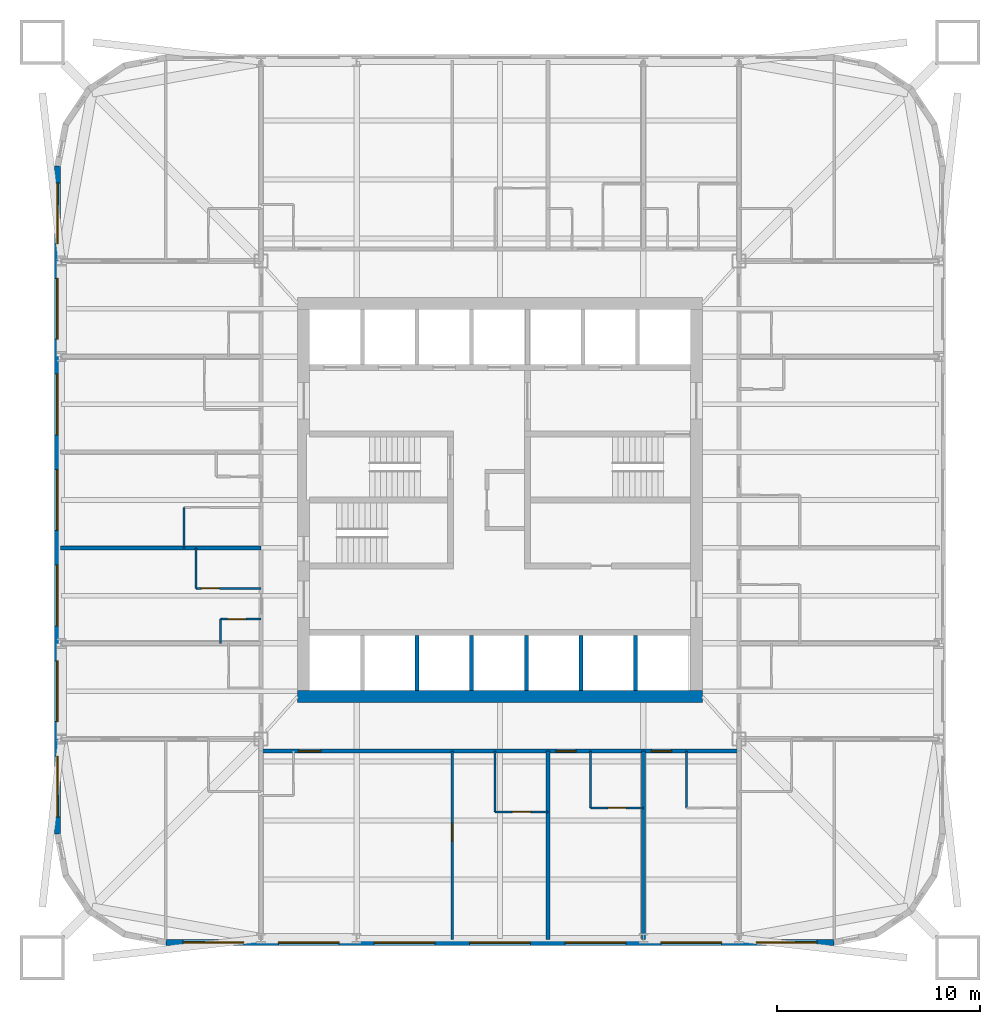
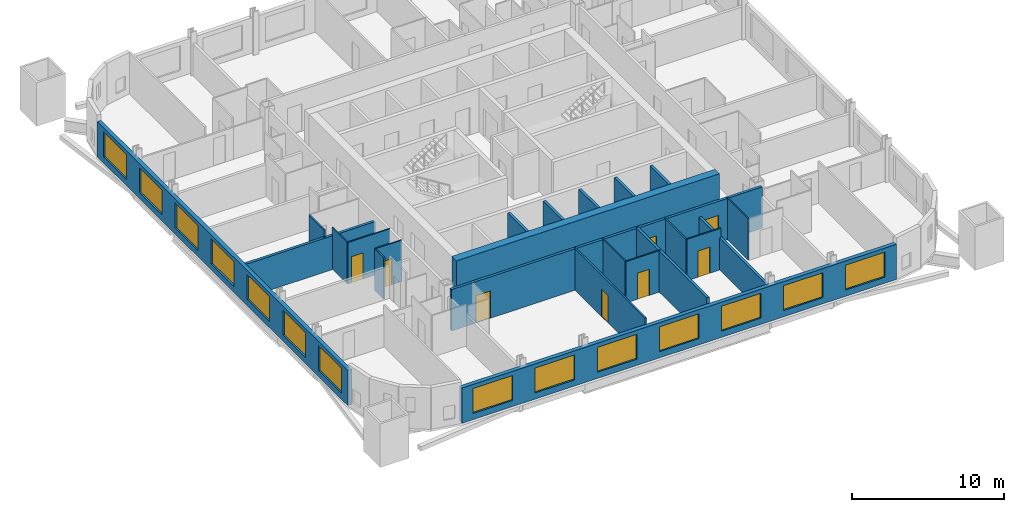
# One storey, part 3 of 9: 23 walls, 14 windows, 8 doors, 22 openings.
"""IFC4 building model written with IfcOpenShell, lengths in metres."""

import ifcopenshell
import ifcopenshell.guid

model = None  # the IFC model being written
_history = None  # IfcOwnerHistory: only IFC2X3 demands one
_inside = {}  # id of a spatial element -> (the spatial element, [elements in it])
_under = {}  # id of a project, library or spatial element -> (it, [spatial elements below it])
_declared = {}  # id of a project -> (the project, [libraries it declares])
_typed = {}  # id of a type object -> (the type object, [elements of that type])
_made_of = {}  # id of a material, layer set ... -> (it, [elements and type objects made of it])


def new_model(schema):
    """Start an empty IFC model of exactly this schema.

    Asked for "IFC4X3", IfcOpenShell would pick the latest addendum, in which some entities
    have other attributes; the version numbers below select the first issue.
    IFC2X3 requires an IfcOwnerHistory on every rooted entity: one is made here for all.
    """
    global model, _history
    if schema == "IFC4X3":
        model = ifcopenshell.file(schema_version=(4, 3, 0, 0))
    else:
        model = ifcopenshell.file(schema=schema)
    _inside.clear()
    _under.clear()
    _declared.clear()
    _typed.clear()
    _made_of.clear()
    _history = None
    if model.schema == "IFC2X3":
        org = make("IfcOrganization", Name="unknown")
        user = make(
            "IfcPersonAndOrganization",
            ThePerson=make("IfcPerson", FamilyName="unknown"),
            TheOrganization=org,
        )
        app = make(
            "IfcApplication",
            ApplicationDeveloper=org,
            Version="unknown",
            ApplicationFullName="unknown",
            ApplicationIdentifier="unknown",
        )
        _history = make(
            "IfcOwnerHistory",
            OwningUser=user,
            OwningApplication=app,
            ChangeAction="ADDED",
            CreationDate=0,
        )
    return model


def make(cls, **values):
    """One entity of the class cls with the attributes given. An attribute that is None is left unset."""
    return model.create_entity(
        cls, **{name: value for name, value in values.items() if value is not None}
    )


def rooted(cls, **values):
    """An entity with a GlobalId (a new one), such as an element, a storey or a relation."""
    return make(cls, GlobalId=ifcopenshell.guid.new(), OwnerHistory=_history, **values)


def si_unit(unit_type, name, prefix=None):
    """IfcSIUnit, for example si_unit("LENGTHUNIT", "METRE", prefix="MILLI")."""
    return make("IfcSIUnit", UnitType=unit_type, Prefix=prefix, Name=name)


def assignment(units):
    """IfcUnitAssignment: the units of a project."""
    return None if units is None else make("IfcUnitAssignment", Units=units)


def point(xyz):
    """IfcCartesianPoint."""
    return None if xyz is None else make("IfcCartesianPoint", Coordinates=xyz)


def direction(xyz):
    """IfcDirection."""
    return None if xyz is None else make("IfcDirection", DirectionRatios=xyz)


def frame(location, z_axis=None, x_axis=None):
    """IfcAxis2Placement3D, a coordinate frame: its origin and axes. An axis left out is left unset."""
    return make(
        "IfcAxis2Placement3D",
        Location=point(location),
        Axis=direction(z_axis),
        RefDirection=direction(x_axis),
    )


def frame_2d(location, x_axis=None):
    """IfcAxis2Placement2D, a coordinate frame in the plane: its origin and x axis."""
    return make(
        "IfcAxis2Placement2D", Location=point(location), RefDirection=direction(x_axis)
    )


def origin():
    """The frame at (0, 0, 0) with its axes left unset."""
    return frame((0.0, 0.0, 0.0))


def place(relative_to, where):
    """IfcLocalPlacement: puts the frame where relative to a parent placement (None: the world)."""
    return make(
        "IfcLocalPlacement", PlacementRelTo=relative_to, RelativePlacement=where
    )


def context(
    kind, dimensions, precision=None, world=None, true_north=None, identifier=None
):
    """IfcGeometricRepresentationContext, for example the 3D "Model" context."""
    return make(
        "IfcGeometricRepresentationContext",
        ContextIdentifier=identifier,
        ContextType=kind,
        CoordinateSpaceDimension=dimensions,
        Precision=precision,
        WorldCoordinateSystem=world,
        TrueNorth=true_north,
    )


def subcontext(parent, identifier, kind, view, scale=None):
    """IfcGeometricRepresentationSubContext, for example "Body" below "Model"."""
    return make(
        "IfcGeometricRepresentationSubContext",
        ContextIdentifier=identifier,
        ContextType=kind,
        ParentContext=parent,
        TargetScale=scale,
        TargetView=view,
    )


def project(units=None, contexts=None):
    """IfcProject with its units and contexts."""
    return rooted(
        "IfcProject",
        Name="project",
        RepresentationContexts=contexts,
        UnitsInContext=assignment(units),
    )


def spatial(cls, under=None, at=None, **own):
    """A site, building, storey or space (cls), placed at a placement, below another one or the project."""
    s = rooted(cls, ObjectPlacement=at, **own)
    if under is not None:
        _under.setdefault(under.id(), (under, []))[1].append(s)
    return s


def profile(cls, at=None, kind="AREA", **sizes):
    """A parametric profile (cls). Its sizes go by their IFC names, for example OverallWidth=200.0."""
    return make(cls, ProfileType=kind, Position=at, **sizes)


def rectangle(**sizes):
    """IfcRectangleProfileDef."""
    return profile("IfcRectangleProfileDef", **sizes)


def extrude(swept, where, along, depth):
    """IfcExtrudedAreaSolid: the profile swept, set in the frame where, extruded along a direction by depth."""
    return make(
        "IfcExtrudedAreaSolid",
        SweptArea=swept,
        Position=where,
        ExtrudedDirection=direction(along),
        Depth=depth,
    )


def shape(context_of_items, identifier, shape_type, items):
    """IfcShapeRepresentation: the items that make up one representation, for example the "Body"."""
    return make(
        "IfcShapeRepresentation",
        ContextOfItems=context_of_items,
        RepresentationIdentifier=identifier,
        RepresentationType=shape_type,
        Items=items,
    )


def material(Name=None, Category=None):
    """IfcMaterial."""
    return make("IfcMaterial", Name=Name, Category=Category)


def layer(
    of_material, thickness, ventilated=None, Name=None, Category=None, Priority=None
):
    """IfcMaterialLayer: one layer of a wall or slab, of a material (None: an air gap)."""
    return make(
        "IfcMaterialLayer",
        Material=of_material,
        LayerThickness=thickness,
        IsVentilated=ventilated,
        Name=Name,
        Category=Category,
        Priority=Priority,
    )


def layer_set(layers, Name=None):
    """IfcMaterialLayerSet."""
    return make("IfcMaterialLayerSet", MaterialLayers=layers, LayerSetName=Name)


def made_of(thing, what):
    """Note that an element or type object is made of a material, layer set ...; save() writes the relation."""
    if what is not None:
        _made_of.setdefault(what.id(), (what, []))[1].append(thing)
    return thing


def type_object(cls, material=None, **own):
    """A type object (cls), such as IfcWallType, which elements share."""
    return made_of(rooted(cls, **own), material)


def element(
    cls,
    number,
    at=None,
    inside=None,
    cuts=None,
    type_object=None,
    material=None,
    context=None,
    identifier="Body",
    shape_type=None,
    held_by="IfcProductDefinitionShape",
    body=None,
    shapes=None,
    **own,
):
    """One element of the class cls, such as IfcWall. Its Tag is "e" and its number.

    at: its placement. inside: the storey or other place that contains it. cuts: it is an
    opening in that element (IfcRelVoidsElement). A single representation is given by context,
    identifier, shape_type and body (its items); several are given by shapes. held_by: the class
    of the entity that holds the representations. save() writes the other relations.
    """
    e = rooted(cls, Tag="e%d" % number, ObjectPlacement=at, **own)
    if body is not None:
        shapes = [shape(context, identifier, shape_type, body)]
    if shapes is not None:
        e.Representation = make(held_by, Representations=shapes)
    if inside is not None:
        _inside.setdefault(inside.id(), (inside, []))[1].append(e)
    if cuts is not None:
        rooted(
            "IfcRelVoidsElement", RelatingBuildingElement=cuts, RelatedOpeningElement=e
        )
    if type_object is not None:
        _typed.setdefault(type_object.id(), (type_object, []))[1].append(e)
    return made_of(e, material)


def fill(opening, filler):
    """IfcRelFillsElement: the door or window that sits in an opening."""
    return rooted(
        "IfcRelFillsElement",
        RelatingOpeningElement=opening,
        RelatedBuildingElement=filler,
    )


def aggregate(whole, parts):
    """IfcRelAggregates: a whole, such as a stair, and the parts it consists of."""
    return rooted("IfcRelAggregates", RelatingObject=whole, RelatedObjects=parts)


def save(model, path):
    """Write the relations noted so far, then the file.

    IfcRelAggregates (storeys below a building ...), IfcRelContainedInSpatialStructure (elements
    in a storey), IfcRelDefinesByType, IfcRelAssociatesMaterial and IfcRelDeclares: one each for
    every whole, place, type object, material and project.
    """
    for whole, parts in _under.values():
        aggregate(whole, parts)
    for where, things in _inside.values():
        rooted(
            "IfcRelContainedInSpatialStructure",
            RelatedElements=things,
            RelatingStructure=where,
        )
    for kind, things in _typed.values():
        rooted("IfcRelDefinesByType", RelatedObjects=things, RelatingType=kind)
    for what, things in _made_of.values():
        rooted("IfcRelAssociatesMaterial", RelatedObjects=things, RelatingMaterial=what)
    for by, libraries in _declared.values():
        rooted("IfcRelDeclares", RelatingContext=by, RelatedDefinitions=libraries)
    model.write(path)


model = new_model("IFC4")

# Units and contexts
model_context = context("Model", 3, precision=1e-05, world=origin(), true_north=direction((0.0, 1.0)))
body_context = subcontext(model_context, "Body", "Model", "MODEL_VIEW")
ifc_project = project(units=[si_unit("LENGTHUNIT", "METRE"), si_unit("AREAUNIT", "SQUARE_METRE"), si_unit("VOLUMEUNIT", "CUBIC_METRE"), si_unit("PLANEANGLEUNIT", "RADIAN"), si_unit("MASSUNIT", "GRAM", prefix="KILO")], contexts=[model_context])

# Site, building, storey
site_placement = place(None, origin())
site = spatial("IfcSite", under=ifc_project, at=site_placement, CompositionType="ELEMENT")
building_placement = place(site_placement, origin())
building = spatial("IfcBuilding", under=site, at=building_placement, Name="Turquesa Mirador Hotel Tower", CompositionType="ELEMENT")
storey_placement = place(building_placement, frame((0.0, 0.0, 28.5)))
storey = spatial("IfcBuildingStorey", under=building, at=storey_placement, Name="L06", CompositionType="ELEMENT", Elevation=28.5)

# Wall, opening, door
ifc_material_1 = material(Name="Gypsum board on steel studs", Category="steel")
ifc_layer_1 = layer(ifc_material_1, 0.10009765625)
ifc_layer_set_1 = layer_set([ifc_layer_1], Name="BATHROOM WALL 100")
wall_type_1 = type_object("IfcWallType", Name="BATHROOM WALL 100", PredefinedType="PARTITIONING", material=ifc_layer_set_1)
wall_1_placement = place(storey_placement, frame((59.47998046875, 29.800048828125, 0.0), z_axis=(0.0, 0.0, 1.0), x_axis=(1.0, 0.0, 0.0)))
wall_1 = element("IfcWall", 1, at=wall_1_placement, inside=storey, type_object=wall_type_1, Name="Partition L06 010", PredefinedType="PARTITIONING", context=body_context, shape_type="SweptSolid", body=[
    extrude(rectangle(XDim=2.60009765625, YDim=0.10009765625, at=frame_2d((1.300048828125, 0.0))), origin(), (0.0, 0.0, 1.0), 3.330078125),
])
opening_1_placement = place(wall_1_placement, frame((0.85009765625, 0.0, 0.0)))
opening_1 = element("IfcOpeningElement", 2, at=opening_1_placement, cuts=wall_1, Name="Opening D02", PredefinedType="OPENING", context=body_context, shape_type="SweptSolid", body=[
    extrude(rectangle(XDim=0.89990234375, YDim=2.10009765625, at=frame_2d((0.449951171875, 1.050048828125))), frame((0.0, 0.06005859375, 0.0), z_axis=(0.0, -1.0, 0.0), x_axis=(1.0, 0.0, 0.0)), (0.0, 0.0, 1.0), 0.1201171875),
])
ifc_material_2 = material(Name="Timber veneered door", Category="wood")
door_type_1 = type_object("IfcDoorType", Name="DOOR 900X2100 EN-SUITE", OperationType="SINGLE_SWING_RIGHT", PredefinedType="DOOR", material=ifc_material_2)
door_1_placement = place(opening_1_placement, origin())
door_1 = element("IfcDoor", 3, at=door_1_placement, inside=storey, type_object=door_type_1, Name="Door 0605B", OperationType="SINGLE_SWING_RIGHT", OverallHeight=2.10009765625, OverallWidth=0.89990234375, PredefinedType="DOOR", context=body_context, shape_type="SweptSolid", body=[
    extrude(rectangle(XDim=0.89990234375, YDim=2.10009765625, at=frame_2d((0.449951171875, 1.050048828125))), frame((0.0, 0.02490234375, 0.0), z_axis=(0.0, -1.0, 0.0), x_axis=(1.0, 0.0, 0.0)), (0.0, 0.0, 1.0), 0.050048828125),
])
fill(opening_1, door_1)

wall_2_placement = place(storey_placement, frame((54.760009765625, 29.60009765625, 0.0), z_axis=(0.0, 0.0, 1.0), x_axis=(1.0, 0.0, 0.0)))
wall_2 = element("IfcWall", 4, at=wall_2_placement, inside=storey, type_object=wall_type_1, Name="Partition L06 012", PredefinedType="PARTITIONING", context=body_context, shape_type="SweptSolid", body=[
    extrude(rectangle(XDim=2.60009765625, YDim=0.10009765625, at=frame_2d((1.300048828125, 0.0))), origin(), (0.0, 0.0, 1.0), 3.330078125),
])
opening_2_placement = place(wall_2_placement, frame((0.85009765625, 0.0, 0.0)))
opening_2 = element("IfcOpeningElement", 5, at=opening_2_placement, cuts=wall_2, Name="Opening D02", PredefinedType="OPENING", context=body_context, shape_type="SweptSolid", body=[
    extrude(rectangle(XDim=0.89990234375, YDim=2.10009765625, at=frame_2d((0.449951171875, 1.050048828125))), frame((0.0, 0.06005859375, 0.0), z_axis=(0.0, -1.0, 0.0), x_axis=(1.0, 0.0, 0.0)), (0.0, 0.0, 1.0), 0.1201171875),
])
door_2_placement = place(opening_2_placement, origin())
door_2 = element("IfcDoor", 6, at=door_2_placement, inside=storey, type_object=door_type_1, Name="Door 0604B", OperationType="SINGLE_SWING_RIGHT", OverallHeight=2.10009765625, OverallWidth=0.89990234375, PredefinedType="DOOR", context=body_context, shape_type="SweptSolid", body=[
    extrude(rectangle(XDim=0.89990234375, YDim=2.10009765625, at=frame_2d((0.449951171875, 1.050048828125))), frame((0.0, 0.02490234375, 0.0), z_axis=(0.0, -1.0, 0.0), x_axis=(1.0, 0.0, 0.0)), (0.0, 0.0, 1.0), 0.050048828125),
])
fill(opening_2, door_2)

wall_3_placement = place(storey_placement, frame((40.0, 40.639892578125, 0.0), z_axis=(0.0, 0.0, 1.0), x_axis=(1.0, 0.0, 0.0)))
wall_3 = element("IfcWall", 7, at=wall_3_placement, inside=storey, type_object=wall_type_1, Name="Partition L06 016", PredefinedType="PARTITIONING", context=body_context, shape_type="SweptSolid", body=[
    extrude(rectangle(XDim=3.199951171875, YDim=0.10009765625, at=frame_2d((1.60009765625, 0.0))), origin(), (0.0, 0.0, 1.0), 3.330078125),
])
opening_3_placement = place(wall_3_placement, frame((0.25, 0.0, 0.0)))
opening_3 = element("IfcOpeningElement", 8, at=opening_3_placement, cuts=wall_3, Name="Opening D02", PredefinedType="OPENING", context=body_context, shape_type="SweptSolid", body=[
    extrude(rectangle(XDim=0.89990234375, YDim=2.10009765625, at=frame_2d((0.449951171875, 1.050048828125))), frame((0.0, 0.06005859375, 0.0), z_axis=(0.0, -1.0, 0.0), x_axis=(1.0, 0.0, 0.0)), (0.0, 0.0, 1.0), 0.1201171875),
])
door_3_placement = place(opening_3_placement, origin())
door_3 = element("IfcDoor", 9, at=door_3_placement, inside=storey, type_object=door_type_1, Name="Door 0609B", OperationType="SINGLE_SWING_RIGHT", OverallHeight=2.10009765625, OverallWidth=0.89990234375, PredefinedType="DOOR", context=body_context, shape_type="SweptSolid", body=[
    extrude(rectangle(XDim=0.89990234375, YDim=2.10009765625, at=frame_2d((0.449951171875, 1.050048828125))), frame((0.0, 0.02490234375, 0.0), z_axis=(0.0, -1.0, 0.0), x_axis=(1.0, 0.0, 0.0)), (0.0, 0.0, 1.0), 0.050048828125),
])
fill(opening_3, door_3)

wall_4_placement = place(storey_placement, frame((41.199951171875, 39.1201171875, 0.0), z_axis=(0.0, 0.0, 1.0), x_axis=(1.0, 0.0, 0.0)))
wall_4 = element("IfcWall", 10, at=wall_4_placement, inside=storey, type_object=wall_type_1, Name="Partition L06 017", PredefinedType="PARTITIONING", context=body_context, shape_type="SweptSolid", body=[
    extrude(rectangle(XDim=2.0, YDim=0.10009765625, at=frame_2d((1.0, 0.0))), origin(), (0.0, 0.0, 1.0), 3.330078125),
])
opening_4_placement = place(wall_4_placement, frame((0.35009765625, 0.0, 0.0)))
opening_4 = element("IfcOpeningElement", 11, at=opening_4_placement, cuts=wall_4, Name="Opening D06", PredefinedType="OPENING", context=body_context, shape_type="SweptSolid", body=[
    extrude(rectangle(XDim=0.89990234375, YDim=2.10009765625, at=frame_2d((0.449951171875, 1.050048828125))), frame((0.0, 0.06005859375, 0.0), z_axis=(0.0, -1.0, 0.0), x_axis=(1.0, 0.0, 0.0)), (0.0, 0.0, 1.0), 0.1201171875),
])
ifc_material_3 = material(Name="Laminate door", Category="wood")
door_type_2 = type_object("IfcDoorType", Name="DOOR 900X2100 WC", OperationType="SINGLE_SWING_LEFT", PredefinedType="DOOR", material=ifc_material_3)
door_4_placement = place(opening_4_placement, origin())
door_4 = element("IfcDoor", 12, at=door_4_placement, inside=storey, type_object=door_type_2, Name="Door 0609W", OperationType="SINGLE_SWING_LEFT", OverallHeight=2.10009765625, OverallWidth=0.89990234375, PredefinedType="DOOR", context=body_context, shape_type="SweptSolid", body=[
    extrude(rectangle(XDim=0.89990234375, YDim=2.10009765625, at=frame_2d((0.449951171875, 1.050048828125))), frame((0.0, 0.02490234375, 0.0), z_axis=(0.0, -1.0, 0.0), x_axis=(1.0, 0.0, 0.0)), (0.0, 0.0, 1.0), 0.050048828125),
])
fill(opening_4, door_4)

# Walls
wall_5_placement = place(storey_placement, frame((54.760009765625, 29.60009765625, 0.0), z_axis=(0.0, 0.0, 1.0), x_axis=(0.0, 1.0, 0.0)))
element("IfcWall", 13, at=wall_5_placement, inside=storey, type_object=wall_type_1, Name="Partition L06 044", PredefinedType="PARTITIONING", context=body_context, shape_type="SweptSolid", body=[
    extrude(rectangle(XDim=3.0, YDim=0.10009765625, at=frame_2d((1.5, 0.0))), origin(), (0.0, 0.0, 1.0), 3.330078125),
])
wall_6_placement = place(storey_placement, frame((41.199951171875, 37.919921875, 0.0), z_axis=(0.0, 0.0, 1.0), x_axis=(0.0, 1.0, 0.0)))
element("IfcWall", 14, at=wall_6_placement, inside=storey, type_object=wall_type_1, Name="Partition L06 055", PredefinedType="PARTITIONING", context=body_context, shape_type="SweptSolid", body=[
    extrude(rectangle(XDim=1.2001953125, YDim=0.10009765625, at=frame_2d((0.60009765625, 0.0))), origin(), (0.0, 0.0, 1.0), 3.330078125),
])
for number, where, z_axis, x_axis, name in (
    (15, (40.0, 40.639892578125, 0.0), (0.0, 0.0, 1.0), (0.0, 1.0, 0.0), "Partition L06 060"),
    (16, (39.39990234375, 42.639892578125, 0.0), (0.0, 0.0, 1.0), (0.0, 1.0, 0.0), "Partition L06 061"),
):
    element("IfcWall", number, at=place(storey_placement, frame(where, z_axis=z_axis, x_axis=x_axis)), inside=storey, type_object=wall_type_1, Name=name, PredefinedType="PARTITIONING", context=body_context, shape_type="SweptSolid", body=[
        extrude(rectangle(XDim=2.0, YDim=0.10009765625, at=frame_2d((1.0, 0.0))), origin(), (0.0, 0.0, 1.0), 3.330078125),
    ])
for number, where, z_axis, x_axis, name in (
    (17, (59.47998046875, 29.800048828125, 0.0), (0.0, 0.0, 1.0), (0.0, 1.0, 0.0), "Partition L06 081"),
    (18, (64.199951171875, 29.800048828125, 0.0), (0.0, 0.0, 1.0), (0.0, 1.0, 0.0), "Partition L06 086"),
):
    element("IfcWall", number, at=place(storey_placement, frame(where, z_axis=z_axis, x_axis=x_axis)), inside=storey, type_object=wall_type_1, Name=name, PredefinedType="PARTITIONING", context=body_context, shape_type="SweptSolid", body=[
        extrude(rectangle(XDim=2.800048828125, YDim=0.10009765625, at=frame_2d((1.39990234375, 0.0))), origin(), (0.0, 0.0, 1.0), 3.330078125),
    ])
ifc_material_4 = material(Name="Concrete C50/60", Category="concrete")
ifc_layer_2 = layer(ifc_material_4, 0.60009765625)
ifc_layer_set_2 = layer_set([ifc_layer_2], Name="CORE WALL 600")
wall_type_2 = type_object("IfcWallType", Name="CORE WALL 600", PredefinedType="SHEAR", material=ifc_layer_set_2)
wall_7_placement = place(storey_placement, frame((45.0, 35.300048828125, 0.0), z_axis=(0.0, 0.0, 1.0), x_axis=(1.0, 0.0, 0.0)))
element("IfcWall", 19, at=wall_7_placement, inside=storey, type_object=wall_type_2, Name="Core wall S", PredefinedType="SHEAR", context=body_context, shape_type="SweptSolid", body=[
    extrude(rectangle(XDim=20.0, YDim=0.60009765625, at=frame_2d((10.0, 0.0))), origin(), (0.0, 0.0, 1.0), 3.5),
])

# Wall, openings, doors
ifc_material_5 = material(Name="Fire-rated gypsum board on steel studs", Category="steel")
ifc_layer_3 = layer(ifc_material_5, 0.199951171875)
ifc_layer_set_3 = layer_set([ifc_layer_3], Name="CORRIDOR WALL 200")
wall_type_3 = type_object("IfcWallType", Name="CORRIDOR WALL 200", PredefinedType="PARTITIONING", material=ifc_layer_set_3)
wall_8_placement = place(storey_placement, frame((43.199951171875, 32.60009765625, 0.0), z_axis=(0.0, 0.0, 1.0), x_axis=(1.0, 0.0, 0.0)))
wall_8 = element("IfcWall", 20, at=wall_8_placement, inside=storey, type_object=wall_type_3, Name="Partition L06 006", PredefinedType="PARTITIONING", context=body_context, shape_type="SweptSolid", body=[
    extrude(rectangle(XDim=23.60009765625, YDim=0.199951171875, at=frame_2d((11.800048828125, 0.0))), origin(), (0.0, 0.0, 1.0), 3.330078125),
])
opening_5_placement = place(wall_8_placement, frame((1.85009765625, 0.0, 0.0)))
opening_5 = element("IfcOpeningElement", 21, at=opening_5_placement, cuts=wall_8, Name="Opening D15", PredefinedType="OPENING", context=body_context, shape_type="SweptSolid", body=[
    extrude(rectangle(XDim=1.10009765625, YDim=2.199951171875, at=frame_2d((0.550048828125, 1.10009765625))), frame((0.0, 0.10986328125, 0.0), z_axis=(0.0, -1.0, 0.0), x_axis=(1.0, 0.0, 0.0)), (0.0, 0.0, 1.0), 0.219970703125),
])
opening_6_placement = place(wall_8_placement, frame((14.56005859375, 0.0, 0.0)))
opening_6 = element("IfcOpeningElement", 22, at=opening_6_placement, cuts=wall_8, Name="Opening D01", PredefinedType="OPENING", context=body_context, shape_type="SweptSolid", body=[
    extrude(rectangle(XDim=1.0, YDim=2.199951171875, at=frame_2d((0.5, 1.10009765625))), frame((0.0, 0.10986328125, 0.0), z_axis=(0.0, -1.0, 0.0), x_axis=(1.0, 0.0, 0.0)), (0.0, 0.0, 1.0), 0.219970703125),
])
opening_7_placement = place(wall_8_placement, frame((19.280029296875, 0.0, 0.0)))
opening_7 = element("IfcOpeningElement", 23, at=opening_7_placement, cuts=wall_8, Name="Opening D01", PredefinedType="OPENING", context=body_context, shape_type="SweptSolid", body=[
    extrude(rectangle(XDim=1.0, YDim=2.199951171875, at=frame_2d((0.5, 1.10009765625))), frame((0.0, 0.10986328125, 0.0), z_axis=(0.0, -1.0, 0.0), x_axis=(1.0, 0.0, 0.0)), (0.0, 0.0, 1.0), 0.219970703125),
])
ifc_material_6 = material(Name="Timber veneered fire door", Category="wood")
door_type_3 = type_object("IfcDoorType", Name="DOOR 1000X2200 GUEST ENTRY", OperationType="SINGLE_SWING_LEFT", PredefinedType="DOOR", material=ifc_material_6)
door_5_placement = place(opening_6_placement, origin())
door_5 = element("IfcDoor", 24, at=door_5_placement, inside=storey, type_object=door_type_3, Name="Door 0605", OperationType="SINGLE_SWING_LEFT", OverallHeight=2.199951171875, OverallWidth=1.0, PredefinedType="DOOR", context=body_context, shape_type="SweptSolid", body=[
    extrude(rectangle(XDim=1.0, YDim=2.199951171875, at=frame_2d((0.5, 1.10009765625))), frame((0.0, 0.02490234375, 0.0), z_axis=(0.0, -1.0, 0.0), x_axis=(1.0, 0.0, 0.0)), (0.0, 0.0, 1.0), 0.050048828125),
])
fill(opening_6, door_5)
door_6_placement = place(opening_7_placement, origin())
door_6 = element("IfcDoor", 25, at=door_6_placement, inside=storey, type_object=door_type_3, Name="Door 0606", OperationType="SINGLE_SWING_LEFT", OverallHeight=2.199951171875, OverallWidth=1.0, PredefinedType="DOOR", context=body_context, shape_type="SweptSolid", body=[
    extrude(rectangle(XDim=1.0, YDim=2.199951171875, at=frame_2d((0.5, 1.10009765625))), frame((0.0, 0.02490234375, 0.0), z_axis=(0.0, -1.0, 0.0), x_axis=(1.0, 0.0, 0.0)), (0.0, 0.0, 1.0), 0.050048828125),
])
fill(opening_7, door_6)
ifc_material_7 = material(Name="Timber veneered fire door", Category="wood")
door_type_4 = type_object("IfcDoorType", Name="DOOR 1100X2200 SUITE ENTRY", OperationType="SINGLE_SWING_LEFT", PredefinedType="DOOR", material=ifc_material_7)
door_7_placement = place(opening_5_placement, origin())
door_7 = element("IfcDoor", 26, at=door_7_placement, inside=storey, type_object=door_type_4, Name="Door 0604", OperationType="SINGLE_SWING_LEFT", OverallHeight=2.199951171875, OverallWidth=1.10009765625, PredefinedType="DOOR", context=body_context, shape_type="SweptSolid", body=[
    extrude(rectangle(XDim=1.10009765625, YDim=2.199951171875, at=frame_2d((0.550048828125, 1.10009765625))), frame((0.0, 0.02490234375, 0.0), z_axis=(0.0, -1.0, 0.0), x_axis=(1.0, 0.0, 0.0)), (0.0, 0.0, 1.0), 0.050048828125),
])
fill(opening_5, door_7)

# Wall, openings, windows
ifc_material_8 = material(Name="Limestone cladding on concrete block", Category="masonry")
ifc_layer_4 = layer(ifc_material_8, 0.300048828125)
ifc_layer_set_4 = layer_set([ifc_layer_4], Name="FACADE WALL 300 STONE SCREEN")
wall_type_4 = type_object("IfcWallType", Name="FACADE WALL 300 STONE SCREEN", PredefinedType="SOLIDWALL", material=ifc_layer_set_4)
wall_9_placement = place(storey_placement, frame((33.14990234375, 61.5, 0.0), z_axis=(0.0, 0.0, 1.0), x_axis=(0.0, -1.0, 0.0)))
wall_9 = element("IfcWall", 27, at=wall_9_placement, inside=storey, type_object=wall_type_4, Name="Facade wall L06 14", PredefinedType="SOLIDWALL", context=body_context, shape_type="SweptSolid", body=[
    extrude(rectangle(XDim=33.0, YDim=0.300048828125, at=frame_2d((16.5, 0.0))), origin(), (0.0, 0.0, 1.0), 2.830078125),
])
opening_8_placement = place(wall_9_placement, frame((0.85009765625, 0.0, 0.5)))
opening_8 = element("IfcOpeningElement", 28, at=opening_8_placement, cuts=wall_9, Name="Opening WN1", PredefinedType="OPENING", context=body_context, shape_type="SweptSolid", body=[
    extrude(rectangle(XDim=3.0, YDim=2.0, at=frame_2d((1.5, 1.0))), frame((0.0, 0.159912109375, 0.0), z_axis=(0.0, -1.0, 0.0), x_axis=(1.0, 0.0, 0.0)), (0.0, 0.0, 1.0), 0.320068359375),
])
opening_9_placement = place(wall_9_placement, frame((5.56005859375, 0.0, 0.5)))
opening_9 = element("IfcOpeningElement", 29, at=opening_9_placement, cuts=wall_9, Name="Opening WN1", PredefinedType="OPENING", context=body_context, shape_type="SweptSolid", body=[
    extrude(rectangle(XDim=3.0, YDim=2.0, at=frame_2d((1.5, 1.0))), frame((0.0, 0.159912109375, 0.0), z_axis=(0.0, -1.0, 0.0), x_axis=(1.0, 0.0, 0.0)), (0.0, 0.0, 1.0), 0.320068359375),
])
opening_10_placement = place(wall_9_placement, frame((10.280029296875, 0.0, 0.5)))
opening_10 = element("IfcOpeningElement", 30, at=opening_10_placement, cuts=wall_9, Name="Opening WN1", PredefinedType="OPENING", context=body_context, shape_type="SweptSolid", body=[
    extrude(rectangle(XDim=3.0, YDim=2.0, at=frame_2d((1.5, 1.0))), frame((0.0, 0.159912109375, 0.0), z_axis=(0.0, -1.0, 0.0), x_axis=(1.0, 0.0, 0.0)), (0.0, 0.0, 1.0), 0.320068359375),
])
opening_11_placement = place(wall_9_placement, frame((15.0, 0.0, 0.5)))
opening_11 = element("IfcOpeningElement", 31, at=opening_11_placement, cuts=wall_9, Name="Opening WN1", PredefinedType="OPENING", context=body_context, shape_type="SweptSolid", body=[
    extrude(rectangle(XDim=3.0, YDim=2.0, at=frame_2d((1.5, 1.0))), frame((0.0, 0.159912109375, 0.0), z_axis=(0.0, -1.0, 0.0), x_axis=(1.0, 0.0, 0.0)), (0.0, 0.0, 1.0), 0.320068359375),
])
opening_12_placement = place(wall_9_placement, frame((19.719970703125, 0.0, 0.5)))
opening_12 = element("IfcOpeningElement", 32, at=opening_12_placement, cuts=wall_9, Name="Opening WN1", PredefinedType="OPENING", context=body_context, shape_type="SweptSolid", body=[
    extrude(rectangle(XDim=3.0, YDim=2.0, at=frame_2d((1.5, 1.0))), frame((0.0, 0.159912109375, 0.0), z_axis=(0.0, -1.0, 0.0), x_axis=(1.0, 0.0, 0.0)), (0.0, 0.0, 1.0), 0.320068359375),
])
opening_13_placement = place(wall_9_placement, frame((24.43994140625, 0.0, 0.5)))
opening_13 = element("IfcOpeningElement", 33, at=opening_13_placement, cuts=wall_9, Name="Opening WN1", PredefinedType="OPENING", context=body_context, shape_type="SweptSolid", body=[
    extrude(rectangle(XDim=3.0, YDim=2.0, at=frame_2d((1.5, 1.0))), frame((0.0, 0.159912109375, 0.0), z_axis=(0.0, -1.0, 0.0), x_axis=(1.0, 0.0, 0.0)), (0.0, 0.0, 1.0), 0.320068359375),
])
opening_14_placement = place(wall_9_placement, frame((29.14990234375, 0.0, 0.5)))
opening_14 = element("IfcOpeningElement", 34, at=opening_14_placement, cuts=wall_9, Name="Opening WN1", PredefinedType="OPENING", context=body_context, shape_type="SweptSolid", body=[
    extrude(rectangle(XDim=3.0, YDim=2.0, at=frame_2d((1.5, 1.0))), frame((0.0, 0.159912109375, 0.0), z_axis=(0.0, -1.0, 0.0), x_axis=(1.0, 0.0, 0.0)), (0.0, 0.0, 1.0), 0.320068359375),
])
ifc_material_9 = material(Name="Ceramic-fritted laminated glass", Category="glass")
window_type = type_object("IfcWindowType", Name="FRITTED WINDOW 3000X2000", PartitioningType="DOUBLE_PANEL_HORIZONTAL", PredefinedType="WINDOW", material=ifc_material_9)
window_1_placement = place(opening_8_placement, origin())
window_1 = element("IfcWindow", 35, at=window_1_placement, inside=storey, type_object=window_type, Name="Window L06", OverallHeight=2.0, OverallWidth=3.0, PartitioningType="SINGLE_PANEL", PredefinedType="WINDOW", context=body_context, shape_type="SweptSolid", body=[
    extrude(rectangle(XDim=3.0, YDim=2.0, at=frame_2d((1.5, 1.0))), frame((0.0, 0.030029296875, 0.0), z_axis=(0.0, -1.0, 0.0), x_axis=(1.0, 0.0, 0.0)), (0.0, 0.0, 1.0), 0.06005859375),
])
fill(opening_8, window_1)
window_2_placement = place(opening_9_placement, origin())
window_2 = element("IfcWindow", 36, at=window_2_placement, inside=storey, type_object=window_type, Name="Window L06", OverallHeight=2.0, OverallWidth=3.0, PartitioningType="SINGLE_PANEL", PredefinedType="WINDOW", context=body_context, shape_type="SweptSolid", body=[
    extrude(rectangle(XDim=3.0, YDim=2.0, at=frame_2d((1.5, 1.0))), frame((0.0, 0.030029296875, 0.0), z_axis=(0.0, -1.0, 0.0), x_axis=(1.0, 0.0, 0.0)), (0.0, 0.0, 1.0), 0.06005859375),
])
fill(opening_9, window_2)
window_3_placement = place(opening_10_placement, origin())
window_3 = element("IfcWindow", 37, at=window_3_placement, inside=storey, type_object=window_type, Name="Window L06", OverallHeight=2.0, OverallWidth=3.0, PartitioningType="SINGLE_PANEL", PredefinedType="WINDOW", context=body_context, shape_type="SweptSolid", body=[
    extrude(rectangle(XDim=3.0, YDim=2.0, at=frame_2d((1.5, 1.0))), frame((0.0, 0.030029296875, 0.0), z_axis=(0.0, -1.0, 0.0), x_axis=(1.0, 0.0, 0.0)), (0.0, 0.0, 1.0), 0.06005859375),
])
fill(opening_10, window_3)
window_4_placement = place(opening_11_placement, origin())
window_4 = element("IfcWindow", 38, at=window_4_placement, inside=storey, type_object=window_type, Name="Window L06", OverallHeight=2.0, OverallWidth=3.0, PartitioningType="SINGLE_PANEL", PredefinedType="WINDOW", context=body_context, shape_type="SweptSolid", body=[
    extrude(rectangle(XDim=3.0, YDim=2.0, at=frame_2d((1.5, 1.0))), frame((0.0, 0.030029296875, 0.0), z_axis=(0.0, -1.0, 0.0), x_axis=(1.0, 0.0, 0.0)), (0.0, 0.0, 1.0), 0.06005859375),
])
fill(opening_11, window_4)
window_5_placement = place(opening_12_placement, origin())
window_5 = element("IfcWindow", 39, at=window_5_placement, inside=storey, type_object=window_type, Name="Window L06", OverallHeight=2.0, OverallWidth=3.0, PartitioningType="SINGLE_PANEL", PredefinedType="WINDOW", context=body_context, shape_type="SweptSolid", body=[
    extrude(rectangle(XDim=3.0, YDim=2.0, at=frame_2d((1.5, 1.0))), frame((0.0, 0.030029296875, 0.0), z_axis=(0.0, -1.0, 0.0), x_axis=(1.0, 0.0, 0.0)), (0.0, 0.0, 1.0), 0.06005859375),
])
fill(opening_12, window_5)
window_6_placement = place(opening_13_placement, origin())
window_6 = element("IfcWindow", 40, at=window_6_placement, inside=storey, type_object=window_type, Name="Window L06", OverallHeight=2.0, OverallWidth=3.0, PartitioningType="SINGLE_PANEL", PredefinedType="WINDOW", context=body_context, shape_type="SweptSolid", body=[
    extrude(rectangle(XDim=3.0, YDim=2.0, at=frame_2d((1.5, 1.0))), frame((0.0, 0.030029296875, 0.0), z_axis=(0.0, -1.0, 0.0), x_axis=(1.0, 0.0, 0.0)), (0.0, 0.0, 1.0), 0.06005859375),
])
fill(opening_13, window_6)
window_7_placement = place(opening_14_placement, origin())
window_7 = element("IfcWindow", 41, at=window_7_placement, inside=storey, type_object=window_type, Name="Window L06", OverallHeight=2.0, OverallWidth=3.0, PartitioningType="SINGLE_PANEL", PredefinedType="WINDOW", context=body_context, shape_type="SweptSolid", body=[
    extrude(rectangle(XDim=3.0, YDim=2.0, at=frame_2d((1.5, 1.0))), frame((0.0, 0.030029296875, 0.0), z_axis=(0.0, -1.0, 0.0), x_axis=(1.0, 0.0, 0.0)), (0.0, 0.0, 1.0), 0.06005859375),
])
fill(opening_14, window_7)

wall_10_placement = place(storey_placement, frame((38.5, 23.14990234375, 0.0), z_axis=(0.0, 0.0, 1.0), x_axis=(1.0, 0.0, 0.0)))
wall_10 = element("IfcWall", 42, at=wall_10_placement, inside=storey, type_object=wall_type_4, Name="Facade wall L06 19", PredefinedType="SOLIDWALL", context=body_context, shape_type="SweptSolid", body=[
    extrude(rectangle(XDim=33.0, YDim=0.300048828125, at=frame_2d((16.5, 0.0))), origin(), (0.0, 0.0, 1.0), 2.830078125),
])
opening_15_placement = place(wall_10_placement, frame((0.85009765625, 0.0, 0.5)))
opening_15 = element("IfcOpeningElement", 43, at=opening_15_placement, cuts=wall_10, Name="Opening WN1", PredefinedType="OPENING", context=body_context, shape_type="SweptSolid", body=[
    extrude(rectangle(XDim=3.0, YDim=2.0, at=frame_2d((1.5, 1.0))), frame((0.0, 0.159912109375, 0.0), z_axis=(0.0, -1.0, 0.0), x_axis=(1.0, 0.0, 0.0)), (0.0, 0.0, 1.0), 0.320068359375),
])
opening_16_placement = place(wall_10_placement, frame((5.56005859375, 0.0, 0.5)))
opening_16 = element("IfcOpeningElement", 44, at=opening_16_placement, cuts=wall_10, Name="Opening WN1", PredefinedType="OPENING", context=body_context, shape_type="SweptSolid", body=[
    extrude(rectangle(XDim=3.0, YDim=2.0, at=frame_2d((1.5, 1.0))), frame((0.0, 0.159912109375, 0.0), z_axis=(0.0, -1.0, 0.0), x_axis=(1.0, 0.0, 0.0)), (0.0, 0.0, 1.0), 0.320068359375),
])
opening_17_placement = place(wall_10_placement, frame((10.280029296875, 0.0, 0.5)))
opening_17 = element("IfcOpeningElement", 45, at=opening_17_placement, cuts=wall_10, Name="Opening WN1", PredefinedType="OPENING", context=body_context, shape_type="SweptSolid", body=[
    extrude(rectangle(XDim=3.0, YDim=2.0, at=frame_2d((1.5, 1.0))), frame((0.0, 0.159912109375, 0.0), z_axis=(0.0, -1.0, 0.0), x_axis=(1.0, 0.0, 0.0)), (0.0, 0.0, 1.0), 0.320068359375),
])
opening_18_placement = place(wall_10_placement, frame((15.0, 0.0, 0.5)))
opening_18 = element("IfcOpeningElement", 46, at=opening_18_placement, cuts=wall_10, Name="Opening WN1", PredefinedType="OPENING", context=body_context, shape_type="SweptSolid", body=[
    extrude(rectangle(XDim=3.0, YDim=2.0, at=frame_2d((1.5, 1.0))), frame((0.0, 0.159912109375, 0.0), z_axis=(0.0, -1.0, 0.0), x_axis=(1.0, 0.0, 0.0)), (0.0, 0.0, 1.0), 0.320068359375),
])
opening_19_placement = place(wall_10_placement, frame((19.719970703125, 0.0, 0.5)))
opening_19 = element("IfcOpeningElement", 47, at=opening_19_placement, cuts=wall_10, Name="Opening WN1", PredefinedType="OPENING", context=body_context, shape_type="SweptSolid", body=[
    extrude(rectangle(XDim=3.0, YDim=2.0, at=frame_2d((1.5, 1.0))), frame((0.0, 0.159912109375, 0.0), z_axis=(0.0, -1.0, 0.0), x_axis=(1.0, 0.0, 0.0)), (0.0, 0.0, 1.0), 0.320068359375),
])
opening_20_placement = place(wall_10_placement, frame((24.43994140625, 0.0, 0.5)))
opening_20 = element("IfcOpeningElement", 48, at=opening_20_placement, cuts=wall_10, Name="Opening WN1", PredefinedType="OPENING", context=body_context, shape_type="SweptSolid", body=[
    extrude(rectangle(XDim=3.0, YDim=2.0, at=frame_2d((1.5, 1.0))), frame((0.0, 0.159912109375, 0.0), z_axis=(0.0, -1.0, 0.0), x_axis=(1.0, 0.0, 0.0)), (0.0, 0.0, 1.0), 0.320068359375),
])
opening_21_placement = place(wall_10_placement, frame((29.14990234375, 0.0, 0.5)))
opening_21 = element("IfcOpeningElement", 49, at=opening_21_placement, cuts=wall_10, Name="Opening WN1", PredefinedType="OPENING", context=body_context, shape_type="SweptSolid", body=[
    extrude(rectangle(XDim=3.0, YDim=2.0, at=frame_2d((1.5, 1.0))), frame((0.0, 0.159912109375, 0.0), z_axis=(0.0, -1.0, 0.0), x_axis=(1.0, 0.0, 0.0)), (0.0, 0.0, 1.0), 0.320068359375),
])
window_8_placement = place(opening_15_placement, origin())
window_8 = element("IfcWindow", 50, at=window_8_placement, inside=storey, type_object=window_type, Name="Window L06", OverallHeight=2.0, OverallWidth=3.0, PartitioningType="SINGLE_PANEL", PredefinedType="WINDOW", context=body_context, shape_type="SweptSolid", body=[
    extrude(rectangle(XDim=3.0, YDim=2.0, at=frame_2d((1.5, 1.0))), frame((0.0, 0.030029296875, 0.0), z_axis=(0.0, -1.0, 0.0), x_axis=(1.0, 0.0, 0.0)), (0.0, 0.0, 1.0), 0.06005859375),
])
fill(opening_15, window_8)
window_9_placement = place(opening_16_placement, origin())
window_9 = element("IfcWindow", 51, at=window_9_placement, inside=storey, type_object=window_type, Name="Window L06", OverallHeight=2.0, OverallWidth=3.0, PartitioningType="SINGLE_PANEL", PredefinedType="WINDOW", context=body_context, shape_type="SweptSolid", body=[
    extrude(rectangle(XDim=3.0, YDim=2.0, at=frame_2d((1.5, 1.0))), frame((0.0, 0.030029296875, 0.0), z_axis=(0.0, -1.0, 0.0), x_axis=(1.0, 0.0, 0.0)), (0.0, 0.0, 1.0), 0.06005859375),
])
fill(opening_16, window_9)
window_10_placement = place(opening_17_placement, origin())
window_10 = element("IfcWindow", 52, at=window_10_placement, inside=storey, type_object=window_type, Name="Window L06", OverallHeight=2.0, OverallWidth=3.0, PartitioningType="SINGLE_PANEL", PredefinedType="WINDOW", context=body_context, shape_type="SweptSolid", body=[
    extrude(rectangle(XDim=3.0, YDim=2.0, at=frame_2d((1.5, 1.0))), frame((0.0, 0.030029296875, 0.0), z_axis=(0.0, -1.0, 0.0), x_axis=(1.0, 0.0, 0.0)), (0.0, 0.0, 1.0), 0.06005859375),
])
fill(opening_17, window_10)
window_11_placement = place(opening_18_placement, origin())
window_11 = element("IfcWindow", 53, at=window_11_placement, inside=storey, type_object=window_type, Name="Window L06", OverallHeight=2.0, OverallWidth=3.0, PartitioningType="SINGLE_PANEL", PredefinedType="WINDOW", context=body_context, shape_type="SweptSolid", body=[
    extrude(rectangle(XDim=3.0, YDim=2.0, at=frame_2d((1.5, 1.0))), frame((0.0, 0.030029296875, 0.0), z_axis=(0.0, -1.0, 0.0), x_axis=(1.0, 0.0, 0.0)), (0.0, 0.0, 1.0), 0.06005859375),
])
fill(opening_18, window_11)
window_12_placement = place(opening_19_placement, origin())
window_12 = element("IfcWindow", 54, at=window_12_placement, inside=storey, type_object=window_type, Name="Window L06", OverallHeight=2.0, OverallWidth=3.0, PartitioningType="SINGLE_PANEL", PredefinedType="WINDOW", context=body_context, shape_type="SweptSolid", body=[
    extrude(rectangle(XDim=3.0, YDim=2.0, at=frame_2d((1.5, 1.0))), frame((0.0, 0.030029296875, 0.0), z_axis=(0.0, -1.0, 0.0), x_axis=(1.0, 0.0, 0.0)), (0.0, 0.0, 1.0), 0.06005859375),
])
fill(opening_19, window_12)
window_13_placement = place(opening_20_placement, origin())
window_13 = element("IfcWindow", 55, at=window_13_placement, inside=storey, type_object=window_type, Name="Window L06", OverallHeight=2.0, OverallWidth=3.0, PartitioningType="SINGLE_PANEL", PredefinedType="WINDOW", context=body_context, shape_type="SweptSolid", body=[
    extrude(rectangle(XDim=3.0, YDim=2.0, at=frame_2d((1.5, 1.0))), frame((0.0, 0.030029296875, 0.0), z_axis=(0.0, -1.0, 0.0), x_axis=(1.0, 0.0, 0.0)), (0.0, 0.0, 1.0), 0.06005859375),
])
fill(opening_20, window_13)
window_14_placement = place(opening_21_placement, origin())
window_14 = element("IfcWindow", 56, at=window_14_placement, inside=storey, type_object=window_type, Name="Window L06", OverallHeight=2.0, OverallWidth=3.0, PartitioningType="SINGLE_PANEL", PredefinedType="WINDOW", context=body_context, shape_type="SweptSolid", body=[
    extrude(rectangle(XDim=3.0, YDim=2.0, at=frame_2d((1.5, 1.0))), frame((0.0, 0.030029296875, 0.0), z_axis=(0.0, -1.0, 0.0), x_axis=(1.0, 0.0, 0.0)), (0.0, 0.0, 1.0), 0.06005859375),
])
fill(opening_21, window_14)

# Walls
ifc_material_10 = material(Name="Fire-rated gypsum shaft wall on steel studs", Category="steel")
ifc_layer_5 = layer(ifc_material_10, 0.199951171875)
ifc_layer_set_5 = layer_set([ifc_layer_5], Name="LIFT SHAFT DIVIDER 200")
wall_type_5 = type_object("IfcWallType", Name="LIFT SHAFT DIVIDER 200", PredefinedType="PARTITIONING", material=ifc_layer_set_5)
for number, where, z_axis, x_axis, name in (
    (57, (50.89990234375, 35.60009765625, 0.0), (0.0, 0.0, 1.0), (0.0, 1.0, 0.0), "Lift shaft divider"),
    (58, (53.60009765625, 35.60009765625, 0.0), (0.0, 0.0, 1.0), (0.0, 1.0, 0.0), "Lift shaft divider"),
    (59, (56.300048828125, 35.60009765625, 0.0), (0.0, 0.0, 1.0), (0.0, 1.0, 0.0), "Lift shaft divider"),
    (60, (59.0, 35.60009765625, 0.0), (0.0, 0.0, 1.0), (0.0, 1.0, 0.0), "Lift shaft divider"),
    (61, (61.699951171875, 35.60009765625, 0.0), (0.0, 0.0, 1.0), (0.0, 1.0, 0.0), "Lift shaft divider"),
):
    element("IfcWall", number, at=place(storey_placement, frame(where, z_axis=z_axis, x_axis=x_axis)), inside=storey, type_object=wall_type_5, Name=name, PredefinedType="PARTITIONING", context=body_context, shape_type="SweptSolid", body=[
        extrude(rectangle(XDim=2.699951171875, YDim=0.199951171875, at=frame_2d((1.35009765625, 0.0))), origin(), (0.0, 0.0, 1.0), 3.330078125),
    ])
ifc_material_11 = material(Name="Fire-rated gypsum board on steel studs", Category="steel")
ifc_layer_6 = layer(ifc_material_11, 0.199951171875)
ifc_layer_set_6 = layer_set([ifc_layer_6], Name="PARTY WALL 200")
wall_type_6 = type_object("IfcWallType", Name="PARTY WALL 200", PredefinedType="PARTITIONING", material=ifc_layer_set_6)
wall_11_placement = place(storey_placement, frame((33.300048828125, 42.639892578125, 0.0), z_axis=(0.0, 0.0, 1.0), x_axis=(1.0, 0.0, 0.0)))
element("IfcWall", 62, at=wall_11_placement, inside=storey, type_object=wall_type_6, Name="Partition L06 013", PredefinedType="PARTITIONING", context=body_context, shape_type="SweptSolid", body=[
    extrude(rectangle(XDim=9.89990234375, YDim=0.199951171875, at=frame_2d((4.949951171875, 0.0))), origin(), (0.0, 0.0, 1.0), 2.722900390625),
])
wall_12_placement = place(storey_placement, frame((57.360107421875, 23.300048828125, 0.0), z_axis=(0.0, 0.0, 1.0), x_axis=(0.0, 1.0, 0.0)))
element("IfcWall", 63, at=wall_12_placement, inside=storey, type_object=wall_type_6, Name="Partition L06 078", PredefinedType="PARTITIONING", context=body_context, shape_type="SweptSolid", body=[
    extrude(rectangle(XDim=9.300048828125, YDim=0.199951171875, at=frame_2d((4.64990234375, 0.0))), origin(), (0.0, 0.0, 1.0), 3.330078125),
])
wall_13_placement = place(storey_placement, frame((62.080078125, 23.300048828125, 0.0), z_axis=(0.0, 0.0, 1.0), x_axis=(0.0, 1.0, 0.0)))
element("IfcWall", 64, at=wall_13_placement, inside=storey, type_object=wall_type_6, Name="Partition L06 083", PredefinedType="PARTITIONING", context=body_context, shape_type="SweptSolid", body=[
    extrude(rectangle(XDim=9.300048828125, YDim=0.199951171875, at=frame_2d((4.64990234375, 0.0))), origin(), (0.0, 0.0, 1.0), 2.572998046875),
])

# Wall, opening, door
ifc_material_12 = material(Name="Acoustic gypsum board on steel studs", Category="steel")
ifc_layer_7 = layer(ifc_material_12, 0.125)
ifc_layer_set_7 = layer_set([ifc_layer_7], Name="SUITE PARTITION 125")
wall_type_7 = type_object("IfcWallType", Name="SUITE PARTITION 125", PredefinedType="PARTITIONING", material=ifc_layer_set_7)
wall_14_placement = place(storey_placement, frame((52.639892578125, 23.300048828125, 0.0), z_axis=(0.0, 0.0, 1.0), x_axis=(0.0, 1.0, 0.0)))
wall_14 = element("IfcWall", 65, at=wall_14_placement, inside=storey, type_object=wall_type_7, Name="Partition L06 064", PredefinedType="PARTITIONING", context=body_context, shape_type="SweptSolid", body=[
    extrude(rectangle(XDim=9.300048828125, YDim=0.125, at=frame_2d((4.64990234375, 0.0))), origin(), (0.0, 0.0, 1.0), 3.330078125),
])
opening_22_placement = place(wall_14_placement, frame((4.85009765625, 0.0, 0.0)))
opening_22 = element("IfcOpeningElement", 66, at=opening_22_placement, cuts=wall_14, Name="Opening D17", PredefinedType="OPENING", context=body_context, shape_type="SweptSolid", body=[
    extrude(rectangle(XDim=0.89990234375, YDim=2.199951171875, at=frame_2d((0.449951171875, 1.10009765625))), frame((0.0, 0.072509765625, 0.0), z_axis=(0.0, -1.0, 0.0), x_axis=(1.0, 0.0, 0.0)), (0.0, 0.0, 1.0), 0.14501953125),
])
ifc_material_13 = material(Name="Timber veneered door", Category="wood")
door_type_5 = type_object("IfcDoorType", Name="DOOR 900X2200 SUITE INTERNAL", OperationType="SINGLE_SWING_LEFT", PredefinedType="DOOR", material=ifc_material_13)
door_8_placement = place(opening_22_placement, origin())
door_8 = element("IfcDoor", 67, at=door_8_placement, inside=storey, type_object=door_type_5, Name="Door 0604R", OperationType="SINGLE_SWING_LEFT", OverallHeight=2.199951171875, OverallWidth=0.89990234375, PredefinedType="DOOR", context=body_context, shape_type="SweptSolid", body=[
    extrude(rectangle(XDim=0.89990234375, YDim=2.199951171875, at=frame_2d((0.449951171875, 1.10009765625))), frame((0.0, 0.02490234375, 0.0), z_axis=(0.0, -1.0, 0.0), x_axis=(1.0, 0.0, 0.0)), (0.0, 0.0, 1.0), 0.050048828125),
])
fill(opening_22, door_8)

save(model, "model.ifc")
